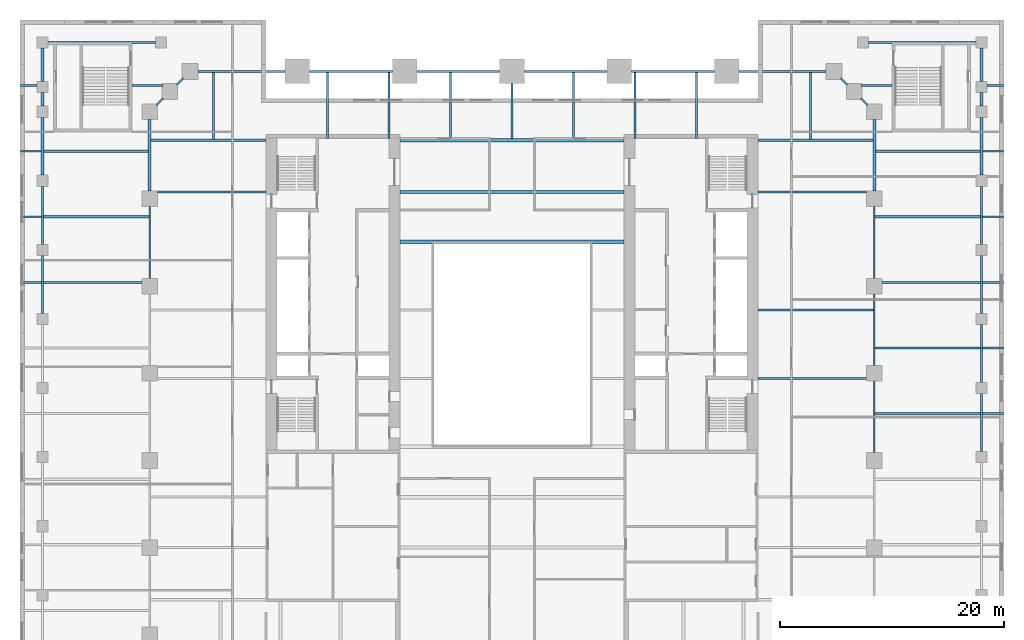
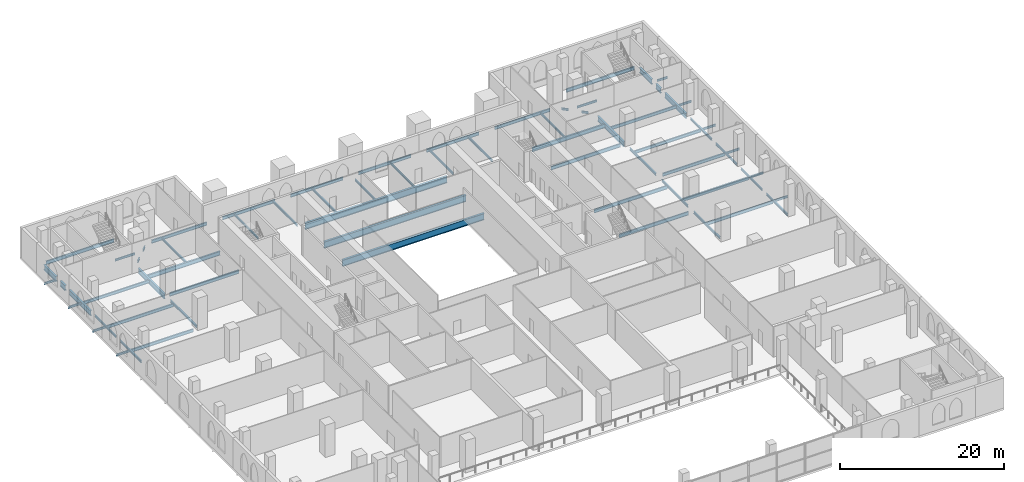
# One storey, part 6 of 19: 68 beams.
"""IFC4 building model written with IfcOpenShell, lengths in metres."""

from ifc_helpers import new_model, si_unit, direction, frame, origin, origin_2d, place, context, subcontext, project, spatial, i_section, extrude, material, material_profile, profile_set, type_object, element, save


model = new_model("IFC4")

# Units and contexts
model_context = context("Model", 3, precision=1e-05, world=origin(), true_north=direction((0.0, 1.0)))
body_context = subcontext(model_context, "Body", "Model", "MODEL_VIEW")
ifc_project = project(units=[si_unit("LENGTHUNIT", "METRE"), si_unit("AREAUNIT", "SQUARE_METRE"), si_unit("VOLUMEUNIT", "CUBIC_METRE"), si_unit("PLANEANGLEUNIT", "RADIAN"), si_unit("MASSUNIT", "GRAM", prefix="KILO")], contexts=[model_context])

# Site, building, storey
site_placement = place(None, origin())
site = spatial("IfcSite", under=ifc_project, at=site_placement, CompositionType="ELEMENT")
building_placement = place(site_placement, origin())
building = spatial("IfcBuilding", under=site, at=building_placement, Name="Ogive Exchange Tower", CompositionType="ELEMENT")
storey_placement = place(building_placement, frame((0.0, 0.0, 24.0)))
storey = spatial("IfcBuildingStorey", under=building, at=storey_placement, Name="L04", CompositionType="ELEMENT", Elevation=24.0)

# Beams
ifc_material = material(Name="Steel ASTM A992 Gr50", Category="steel")
ifc_material_profile_1 = material_profile(ifc_material, i_section(OverallWidth=0.300048828125, OverallDepth=0.969970703125, WebThickness=0.01611328125, FlangeThickness=0.02099609375, at=origin_2d()), Name="W1000x222")
ifc_profile_set_1 = profile_set([ifc_material_profile_1], Name="Steel ASTM A992 Gr50")
beam_type_1 = type_object("IfcBeamType", Name="Floor beam W1000x222", PredefinedType="JOIST", material=ifc_profile_set_1)
beam_1_placement = place(storey_placement, frame((-10.0, 20.62255859375, -0.784912109375), z_axis=(1.0, 0.0, 0.0), x_axis=(0.0, 1.0, 0.0)))
element("IfcBeam", 1, at=beam_1_placement, inside=storey, type_object=beam_type_1, Name="Floor beam", PredefinedType="JOIST", context=body_context, shape_type="SweptSolid", body=[
    extrude(i_section(OverallWidth=0.300048828125, OverallDepth=0.969970703125, WebThickness=0.01611328125, FlangeThickness=0.02099609375, at=origin_2d()), origin(), (0.0, 0.0, 1.0), 20.0),
])
ifc_material_profile_2 = material_profile(ifc_material, i_section(OverallWidth=0.1650390625, OverallDepth=0.31005859375, WebThickness=0.005859375, FlangeThickness=0.009765625, at=origin_2d()), Name="W310x38.7")
ifc_profile_set_2 = profile_set([ifc_material_profile_2], Name="Steel ASTM A992 Gr50")
beam_type_2 = type_object("IfcBeamType", Name="Floor beam W310x38.7", PredefinedType="JOIST", material=ifc_profile_set_2)
for number, where, z_axis, x_axis, name in (
    (2, (-16.5, 25.39990234375, -0.455078125), (0.0, 1.0, 0.0), (-1.0, 0.0, 0.0), "Floor beam"),
    (3, (-11.0, 25.39990234375, -0.455078125), (0.0, 1.0, 0.0), (-1.0, 0.0, 0.0), "Floor beam"),
):
    element("IfcBeam", number, at=place(storey_placement, frame(where, z_axis=z_axis, x_axis=x_axis)), inside=storey, type_object=beam_type_2, Name=name, PredefinedType="JOIST", context=body_context, shape_type="SweptSolid", body=[
        extrude(i_section(OverallWidth=0.1650390625, OverallDepth=0.31005859375, WebThickness=0.005859375, FlangeThickness=0.009765625, at=origin_2d()), origin(), (0.0, 0.0, 1.0), 5.904541015625),
    ])
beam_2_placement = place(storey_placement, frame((-5.5, 25.39501953125, -0.455078125), z_axis=(0.0, 1.0, 0.0), x_axis=(-1.0, 0.0, 0.0)))
element("IfcBeam", 4, at=beam_2_placement, inside=storey, type_object=beam_type_2, Name="Floor beam", PredefinedType="JOIST", context=body_context, shape_type="SweptSolid", body=[
    extrude(i_section(OverallWidth=0.1650390625, OverallDepth=0.31005859375, WebThickness=0.005859375, FlangeThickness=0.009765625, at=origin_2d()), origin(), (0.0, 0.0, 1.0), 5.909423828125),
])
beam_3_placement = place(storey_placement, frame((0.0, 25.39501953125, -0.455078125), z_axis=(0.0, 1.0, 0.0), x_axis=(-1.0, 0.0, 0.0)))
element("IfcBeam", 5, at=beam_3_placement, inside=storey, type_object=beam_type_2, Name="Floor beam", PredefinedType="JOIST", context=body_context, shape_type="SweptSolid", body=[
    extrude(i_section(OverallWidth=0.1650390625, OverallDepth=0.31005859375, WebThickness=0.005859375, FlangeThickness=0.009765625, at=origin_2d()), origin(), (0.0, 0.0, 1.0), 4.905029296875),
])
beam_4_placement = place(storey_placement, frame((5.5, 25.39501953125, -0.455078125), z_axis=(0.0, 1.0, 0.0), x_axis=(-1.0, 0.0, 0.0)))
element("IfcBeam", 6, at=beam_4_placement, inside=storey, type_object=beam_type_2, Name="Floor beam", PredefinedType="JOIST", context=body_context, shape_type="SweptSolid", body=[
    extrude(i_section(OverallWidth=0.1650390625, OverallDepth=0.31005859375, WebThickness=0.005859375, FlangeThickness=0.009765625, at=origin_2d()), origin(), (0.0, 0.0, 1.0), 5.909423828125),
])
for number, where, z_axis, x_axis, name in (
    (7, (11.0, 25.39990234375, -0.455078125), (0.0, 1.0, 0.0), (-1.0, 0.0, 0.0), "Floor beam"),
    (8, (16.5, 25.39990234375, -0.455078125), (0.0, 1.0, 0.0), (-1.0, 0.0, 0.0), "Floor beam"),
):
    element("IfcBeam", number, at=place(storey_placement, frame(where, z_axis=z_axis, x_axis=x_axis)), inside=storey, type_object=beam_type_2, Name=name, PredefinedType="JOIST", context=body_context, shape_type="SweptSolid", body=[
        extrude(i_section(OverallWidth=0.1650390625, OverallDepth=0.31005859375, WebThickness=0.005859375, FlangeThickness=0.009765625, at=origin_2d()), origin(), (0.0, 0.0, 1.0), 5.904541015625),
    ])
for number, where, z_axis, x_axis, name in (
    (9, (26.699951171875, 25.35888671875, -0.455078125), (0.0, 1.0, 0.0), (-1.0, 0.0, 0.0), "Floor beam"),
    (10, (-26.699951171875, 25.35888671875, -0.455078125), (0.0, 1.0, 0.0), (-1.0, 0.0, 0.0), "Floor beam"),
):
    element("IfcBeam", number, at=place(storey_placement, frame(where, z_axis=z_axis, x_axis=x_axis)), inside=storey, type_object=beam_type_2, Name=name, PredefinedType="JOIST", context=body_context, shape_type="SweptSolid", body=[
        extrude(i_section(OverallWidth=0.1650390625, OverallDepth=0.31005859375, WebThickness=0.005859375, FlangeThickness=0.009765625, at=origin_2d()), origin(), (0.0, 0.0, 1.0), 5.945556640625),
    ])
for number, where, z_axis, x_axis, name in (
    (11, (42.08251953125, 0.800048828125, -0.455078125), (1.0, 0.0, 0.0), (0.0, 1.0, 0.0), "Floor beam"),
    (12, (42.08251953125, 6.666748046875, -0.455078125), (1.0, 0.0, 0.0), (0.0, 1.0, 0.0), "Floor beam"),
    (13, (42.08251953125, 12.533203125, -0.455078125), (1.0, 0.0, 0.0), (0.0, 1.0, 0.0), "Floor beam"),
    (14, (42.08251953125, 18.39990234375, -0.455078125), (1.0, 0.0, 0.0), (0.0, 1.0, 0.0), "Floor beam"),
):
    element("IfcBeam", number, at=place(storey_placement, frame(where, z_axis=z_axis, x_axis=x_axis)), inside=storey, type_object=beam_type_2, Name=name, PredefinedType="JOIST", context=body_context, shape_type="SweptSolid", body=[
        extrude(i_section(OverallWidth=0.1650390625, OverallDepth=0.31005859375, WebThickness=0.005859375, FlangeThickness=0.009765625, at=origin_2d()), origin(), (0.0, 0.0, 1.0), 1.867431640625),
    ])
beam_5_placement = place(storey_placement, frame((42.133544921875, 24.2666015625, -0.455078125), z_axis=(1.0, 0.0, 0.0), x_axis=(0.0, 1.0, 0.0)))
element("IfcBeam", 15, at=beam_5_placement, inside=storey, type_object=beam_type_2, Name="Floor beam", PredefinedType="JOIST", context=body_context, shape_type="SweptSolid", body=[
    extrude(i_section(OverallWidth=0.1650390625, OverallDepth=0.31005859375, WebThickness=0.005859375, FlangeThickness=0.009765625, at=origin_2d()), origin(), (0.0, 0.0, 1.0), 1.81640625),
])
beam_6_placement = place(storey_placement, frame((31.199951171875, 30.13330078125, -0.455078125), z_axis=(1.0, 0.0, 0.0), x_axis=(0.0, 1.0, 0.0)))
element("IfcBeam", 16, at=beam_6_placement, inside=storey, type_object=beam_type_2, Name="Floor beam", PredefinedType="JOIST", context=body_context, shape_type="SweptSolid", body=[
    extrude(i_section(OverallWidth=0.1650390625, OverallDepth=0.31005859375, WebThickness=0.005859375, FlangeThickness=0.009765625, at=origin_2d()), origin(), (0.0, 0.0, 1.0), 2.800048828125),
])
beam_7_placement = place(storey_placement, frame((42.5, 30.13330078125, -0.455078125), z_axis=(1.0, 0.0, 0.0), x_axis=(0.0, 1.0, 0.0)))
element("IfcBeam", 17, at=beam_7_placement, inside=storey, type_object=beam_type_2, Name="Floor beam", PredefinedType="JOIST", context=body_context, shape_type="SweptSolid", body=[
    extrude(i_section(OverallWidth=0.1650390625, OverallDepth=0.31005859375, WebThickness=0.005859375, FlangeThickness=0.009765625, at=origin_2d()), origin(), (0.0, 0.0, 1.0), 1.449951171875),
])
for number, where, z_axis, x_axis, name in (
    (18, (-43.949951171875, 12.533203125, -0.455078125), (1.0, 0.0, 0.0), (0.0, 1.0, 0.0), "Floor beam"),
    (19, (-43.949951171875, 18.39990234375, -0.455078125), (1.0, 0.0, 0.0), (0.0, 1.0, 0.0), "Floor beam"),
):
    element("IfcBeam", number, at=place(storey_placement, frame(where, z_axis=z_axis, x_axis=x_axis)), inside=storey, type_object=beam_type_2, Name=name, PredefinedType="JOIST", context=body_context, shape_type="SweptSolid", body=[
        extrude(i_section(OverallWidth=0.1650390625, OverallDepth=0.31005859375, WebThickness=0.005859375, FlangeThickness=0.009765625, at=origin_2d()), origin(), (0.0, 0.0, 1.0), 1.867431640625),
    ])
beam_8_placement = place(storey_placement, frame((-43.949951171875, 24.2666015625, -0.455078125), z_axis=(1.0, 0.0, 0.0), x_axis=(0.0, 1.0, 0.0)))
element("IfcBeam", 20, at=beam_8_placement, inside=storey, type_object=beam_type_2, Name="Floor beam", PredefinedType="JOIST", context=body_context, shape_type="SweptSolid", body=[
    extrude(i_section(OverallWidth=0.1650390625, OverallDepth=0.31005859375, WebThickness=0.005859375, FlangeThickness=0.009765625, at=origin_2d()), origin(), (0.0, 0.0, 1.0), 1.81640625),
])
beam_9_placement = place(storey_placement, frame((-43.949951171875, 30.13330078125, -0.455078125), z_axis=(1.0, 0.0, 0.0), x_axis=(0.0, 1.0, 0.0)))
element("IfcBeam", 21, at=beam_9_placement, inside=storey, type_object=beam_type_2, Name="Floor beam", PredefinedType="JOIST", context=body_context, shape_type="SweptSolid", body=[
    extrude(i_section(OverallWidth=0.1650390625, OverallDepth=0.31005859375, WebThickness=0.005859375, FlangeThickness=0.009765625, at=origin_2d()), origin(), (0.0, 0.0, 1.0), 1.449951171875),
])
beam_10_placement = place(storey_placement, frame((-34.0, 30.13330078125, -0.455078125), z_axis=(1.0, 0.0, 0.0), x_axis=(0.0, 1.0, 0.0)))
element("IfcBeam", 22, at=beam_10_placement, inside=storey, type_object=beam_type_2, Name="Floor beam", PredefinedType="JOIST", context=body_context, shape_type="SweptSolid", body=[
    extrude(i_section(OverallWidth=0.1650390625, OverallDepth=0.31005859375, WebThickness=0.005859375, FlangeThickness=0.009765625, at=origin_2d()), origin(), (0.0, 0.0, 1.0), 2.800048828125),
])
ifc_material_profile_3 = material_profile(ifc_material, i_section(OverallWidth=0.19091796875, OverallDepth=0.45703125, WebThickness=0.009033203125, FlangeThickness=0.014404296875, at=origin_2d()), Name="W460x74")
ifc_profile_set_3 = profile_set([ifc_material_profile_3], Name="Steel ASTM A992 Gr50")
beam_type_3 = type_object("IfcBeamType", Name="Floor beam W460x74", PredefinedType="JOIST", material=ifc_profile_set_3)
for number, where, z_axis, x_axis, name in (
    (23, (32.485595703125, 0.800048828125, -0.528564453125), (1.0, 0.0, 0.0), (0.0, 1.0, 0.0), "Floor beam"),
    (24, (32.485595703125, 6.666748046875, -0.528564453125), (1.0, 0.0, 0.0), (0.0, 1.0, 0.0), "Floor beam"),
):
    element("IfcBeam", number, at=place(storey_placement, frame(where, z_axis=z_axis, x_axis=x_axis)), inside=storey, type_object=beam_type_3, Name=name, PredefinedType="JOIST", context=body_context, shape_type="SweptSolid", body=[
        extrude(i_section(OverallWidth=0.19091796875, OverallDepth=0.45703125, WebThickness=0.009033203125, FlangeThickness=0.014404296875, at=origin_2d()), origin(), (0.0, 0.0, 1.0), 9.431884765625),
    ])
beam_11_placement = place(storey_placement, frame((33.10009765625, 12.533203125, -0.528564453125), z_axis=(1.0, 0.0, 0.0), x_axis=(0.0, 1.0, 0.0)))
element("IfcBeam", 25, at=beam_11_placement, inside=storey, type_object=beam_type_3, Name="Floor beam", PredefinedType="JOIST", context=body_context, shape_type="SweptSolid", body=[
    extrude(i_section(OverallWidth=0.19091796875, OverallDepth=0.45703125, WebThickness=0.009033203125, FlangeThickness=0.014404296875, at=origin_2d()), origin(), (0.0, 0.0, 1.0), 8.8173828125),
])
beam_12_placement = place(storey_placement, frame((32.485595703125, 18.39990234375, -0.528564453125), z_axis=(1.0, 0.0, 0.0), x_axis=(0.0, 1.0, 0.0)))
element("IfcBeam", 26, at=beam_12_placement, inside=storey, type_object=beam_type_3, Name="Floor beam", PredefinedType="JOIST", context=body_context, shape_type="SweptSolid", body=[
    extrude(i_section(OverallWidth=0.19091796875, OverallDepth=0.45703125, WebThickness=0.009033203125, FlangeThickness=0.014404296875, at=origin_2d()), origin(), (0.0, 0.0, 1.0), 9.431884765625),
])
beam_13_placement = place(storey_placement, frame((32.533447265625, 24.2666015625, -0.528564453125), z_axis=(1.0, 0.0, 0.0), x_axis=(0.0, 1.0, 0.0)))
element("IfcBeam", 27, at=beam_13_placement, inside=storey, type_object=beam_type_3, Name="Floor beam", PredefinedType="JOIST", context=body_context, shape_type="SweptSolid", body=[
    extrude(i_section(OverallWidth=0.19091796875, OverallDepth=0.45703125, WebThickness=0.009033203125, FlangeThickness=0.014404296875, at=origin_2d()), origin(), (0.0, 0.0, 1.0), 9.3330078125),
])
beam_14_placement = place(storey_placement, frame((-41.91748046875, 12.533203125, -0.528564453125), z_axis=(1.0, 0.0, 0.0), x_axis=(0.0, 1.0, 0.0)))
element("IfcBeam", 28, at=beam_14_placement, inside=storey, type_object=beam_type_3, Name="Floor beam", PredefinedType="JOIST", context=body_context, shape_type="SweptSolid", body=[
    extrude(i_section(OverallWidth=0.19091796875, OverallDepth=0.45703125, WebThickness=0.009033203125, FlangeThickness=0.014404296875, at=origin_2d()), origin(), (0.0, 0.0, 1.0), 8.8173828125),
])
beam_15_placement = place(storey_placement, frame((-41.91748046875, 18.39990234375, -0.528564453125), z_axis=(1.0, 0.0, 0.0), x_axis=(0.0, 1.0, 0.0)))
element("IfcBeam", 29, at=beam_15_placement, inside=storey, type_object=beam_type_3, Name="Floor beam", PredefinedType="JOIST", context=body_context, shape_type="SweptSolid", body=[
    extrude(i_section(OverallWidth=0.19091796875, OverallDepth=0.45703125, WebThickness=0.009033203125, FlangeThickness=0.014404296875, at=origin_2d()), origin(), (0.0, 0.0, 1.0), 9.431884765625),
])
beam_16_placement = place(storey_placement, frame((-41.866455078125, 24.2666015625, -0.528564453125), z_axis=(1.0, 0.0, 0.0), x_axis=(0.0, 1.0, 0.0)))
element("IfcBeam", 30, at=beam_16_placement, inside=storey, type_object=beam_type_3, Name="Floor beam", PredefinedType="JOIST", context=body_context, shape_type="SweptSolid", body=[
    extrude(i_section(OverallWidth=0.19091796875, OverallDepth=0.45703125, WebThickness=0.009033203125, FlangeThickness=0.014404296875, at=origin_2d()), origin(), (0.0, 0.0, 1.0), 9.3330078125),
])
ifc_material_profile_4 = material_profile(ifc_material, i_section(OverallWidth=0.1669921875, OverallDepth=0.535888671875, WebThickness=0.01025390625, FlangeThickness=0.0166015625, at=origin_2d()), Name="W530x85")
ifc_profile_set_4 = profile_set([ifc_material_profile_4], Name="Steel ASTM A992 Gr50")
beam_type_4 = type_object("IfcBeamType", Name="Floor beam W530x85", PredefinedType="JOIST", material=ifc_profile_set_4)
beam_17_placement = place(storey_placement, frame((22.0, 3.9482421875, -0.568115234375), z_axis=(1.0, 0.0, 0.0), x_axis=(0.0, 1.0, 0.0)))
element("IfcBeam", 31, at=beam_17_placement, inside=storey, type_object=beam_type_4, Name="Floor beam", PredefinedType="JOIST", context=body_context, shape_type="SweptSolid", body=[
    extrude(i_section(OverallWidth=0.1669921875, OverallDepth=0.535888671875, WebThickness=0.01025390625, FlangeThickness=0.0166015625, at=origin_2d()), origin(), (0.0, 0.0, 1.0), 9.800048828125),
])
beam_18_placement = place(storey_placement, frame((22.0, 10.0517578125, -0.568115234375), z_axis=(1.0, 0.0, 0.0), x_axis=(0.0, 1.0, 0.0)))
element("IfcBeam", 32, at=beam_18_placement, inside=storey, type_object=beam_type_4, Name="Floor beam", PredefinedType="JOIST", context=body_context, shape_type="SweptSolid", body=[
    extrude(i_section(OverallWidth=0.1669921875, OverallDepth=0.535888671875, WebThickness=0.01025390625, FlangeThickness=0.0166015625, at=origin_2d()), origin(), (0.0, 0.0, 1.0), 10.344970703125),
])
for number, where, z_axis, x_axis, name in (
    (33, (-31.800048828125, 20.62255859375, -0.568115234375), (1.0, 0.0, 0.0), (0.0, 1.0, 0.0), "Floor beam"),
    (34, (22.0, 20.62255859375, -0.568115234375), (1.0, 0.0, 0.0), (0.0, 1.0, 0.0), "Floor beam"),
):
    element("IfcBeam", number, at=place(storey_placement, frame(where, z_axis=z_axis, x_axis=x_axis)), inside=storey, type_object=beam_type_4, Name=name, PredefinedType="JOIST", context=body_context, shape_type="SweptSolid", body=[
        extrude(i_section(OverallWidth=0.1669921875, OverallDepth=0.535888671875, WebThickness=0.01025390625, FlangeThickness=0.0166015625, at=origin_2d()), origin(), (0.0, 0.0, 1.0), 9.800048828125),
    ])
ifc_material_profile_5 = material_profile(ifc_material, i_section(OverallWidth=0.300048828125, OverallDepth=0.97998046875, WebThickness=0.0166015625, FlangeThickness=0.026123046875, at=origin_2d()), Name="W1000x249")
ifc_profile_set_5 = profile_set([ifc_material_profile_5], Name="Steel ASTM A992 Gr50")
beam_type_5 = type_object("IfcBeamType", Name="Girder W1000x249", PredefinedType="BEAM", material=ifc_profile_set_5)
for number, where, z_axis, x_axis, name in (
    (35, (-10.0, 25.2451171875, -0.7900390625), (1.0, 0.0, 0.0), (0.0, 1.0, 0.0), "Header girder"),
    (36, (-10.0, 16.155029296875, -0.7900390625), (1.0, 0.0, 0.0), (0.0, 1.0, 0.0), "Trimmer girder"),
):
    element("IfcBeam", number, at=place(storey_placement, frame(where, z_axis=z_axis, x_axis=x_axis)), inside=storey, type_object=beam_type_5, Name=name, PredefinedType="BEAM", context=body_context, shape_type="SweptSolid", body=[
        extrude(i_section(OverallWidth=0.300048828125, OverallDepth=0.97998046875, WebThickness=0.0166015625, FlangeThickness=0.026123046875, at=origin_2d()), origin(), (0.0, 0.0, 1.0), 20.0),
    ])
ifc_material_profile_6 = material_profile(ifc_material, i_section(OverallWidth=0.1650390625, OverallDepth=0.31005859375, WebThickness=0.005859375, FlangeThickness=0.009765625, at=origin_2d()), Name="W310x38.7")
ifc_profile_set_6 = profile_set([ifc_material_profile_6], Name="Steel ASTM A992 Gr50")
beam_type_6 = type_object("IfcBeamType", Name="Girder W310x38.7", PredefinedType="BEAM", material=ifc_profile_set_6)
for number, where, z_axis, x_axis, name in (
    (37, (31.805908203125, 28.39404296875, -0.455078125), (-0.706965712506, 0.707247821729, 0.0), (-0.707247821729, -0.706965712506, 0.0), "Girder"),
    (38, (30.006103515625, 30.194091796875, -0.455078125), (-0.707247821729, 0.706965712506, 0.0), (-0.706965712506, -0.707247821729, 0.0), "Girder"),
    (39, (-29.39404296875, 30.805908203125, -0.455078125), (-0.707247821729, -0.706965712506, 0.0), (0.706965712506, -0.707247821729, 0.0), "Girder"),
    (40, (-31.194091796875, 29.006103515625, -0.455078125), (-0.706965712506, -0.707247821729, 0.0), (0.707247821729, -0.706965712506, 0.0), "Girder"),
):
    element("IfcBeam", number, at=place(storey_placement, frame(where, z_axis=z_axis, x_axis=x_axis)), inside=storey, type_object=beam_type_6, Name=name, PredefinedType="BEAM", context=body_context, shape_type="SweptSolid", body=[
        extrude(i_section(OverallWidth=0.1650390625, OverallDepth=0.31005859375, WebThickness=0.005859375, FlangeThickness=0.009765625, at=origin_2d()), origin(), (0.0, 0.0, 1.0), 0.865478515625),
    ])
beam_19_placement = place(storey_placement, frame((42.0, -2.590087890625, -0.455078125), z_axis=(0.0, 1.0, 0.0), x_axis=(-1.0, 0.0, 0.0)))
element("IfcBeam", 41, at=beam_19_placement, inside=storey, type_object=beam_type_6, Name="Girder", PredefinedType="BEAM", context=body_context, shape_type="SweptSolid", body=[
    extrude(i_section(OverallWidth=0.1650390625, OverallDepth=0.31005859375, WebThickness=0.005859375, FlangeThickness=0.009765625, at=origin_2d()), origin(), (0.0, 0.0, 1.0), 5.18017578125),
])
beam_20_placement = place(storey_placement, frame((42.0, 3.590087890625, -0.455078125), z_axis=(0.0, 1.0, 0.0), x_axis=(-1.0, 0.0, 0.0)))
element("IfcBeam", 42, at=beam_20_placement, inside=storey, type_object=beam_type_6, Name="Girder", PredefinedType="BEAM", context=body_context, shape_type="SweptSolid", body=[
    extrude(i_section(OverallWidth=0.1650390625, OverallDepth=0.31005859375, WebThickness=0.005859375, FlangeThickness=0.009765625, at=origin_2d()), origin(), (0.0, 0.0, 1.0), 5.179931640625),
])
beam_21_placement = place(storey_placement, frame((42.0, 9.77001953125, -0.455078125), z_axis=(0.0, 1.0, 0.0), x_axis=(-1.0, 0.0, 0.0)))
element("IfcBeam", 43, at=beam_21_placement, inside=storey, type_object=beam_type_6, Name="Girder", PredefinedType="BEAM", context=body_context, shape_type="SweptSolid", body=[
    extrude(i_section(OverallWidth=0.1650390625, OverallDepth=0.31005859375, WebThickness=0.005859375, FlangeThickness=0.009765625, at=origin_2d()), origin(), (0.0, 0.0, 1.0), 5.169921875),
])
beam_22_placement = place(storey_placement, frame((42.0, 15.93994140625, -0.455078125), z_axis=(0.0, 1.0, 0.0), x_axis=(-1.0, 0.0, 0.0)))
element("IfcBeam", 44, at=beam_22_placement, inside=storey, type_object=beam_type_6, Name="Girder", PredefinedType="BEAM", context=body_context, shape_type="SweptSolid", body=[
    extrude(i_section(OverallWidth=0.1650390625, OverallDepth=0.31005859375, WebThickness=0.005859375, FlangeThickness=0.009765625, at=origin_2d()), origin(), (0.0, 0.0, 1.0), 5.18017578125),
])
beam_23_placement = place(storey_placement, frame((-42.0, 9.77001953125, -0.455078125), z_axis=(0.0, 1.0, 0.0), x_axis=(-1.0, 0.0, 0.0)))
element("IfcBeam", 45, at=beam_23_placement, inside=storey, type_object=beam_type_6, Name="Girder", PredefinedType="BEAM", context=body_context, shape_type="SweptSolid", body=[
    extrude(i_section(OverallWidth=0.1650390625, OverallDepth=0.31005859375, WebThickness=0.005859375, FlangeThickness=0.009765625, at=origin_2d()), origin(), (0.0, 0.0, 1.0), 5.169921875),
])
beam_24_placement = place(storey_placement, frame((-42.0, 15.93994140625, -0.455078125), z_axis=(0.0, 1.0, 0.0), x_axis=(-1.0, 0.0, 0.0)))
element("IfcBeam", 46, at=beam_24_placement, inside=storey, type_object=beam_type_6, Name="Girder", PredefinedType="BEAM", context=body_context, shape_type="SweptSolid", body=[
    extrude(i_section(OverallWidth=0.1650390625, OverallDepth=0.31005859375, WebThickness=0.005859375, FlangeThickness=0.009765625, at=origin_2d()), origin(), (0.0, 0.0, 1.0), 5.18017578125),
])
ifc_material_profile_7 = material_profile(ifc_material, i_section(OverallWidth=0.1708984375, OverallDepth=0.35595703125, WebThickness=0.00732421875, FlangeThickness=0.01171875, at=origin_2d()), Name="W360x51")
ifc_profile_set_7 = profile_set([ifc_material_profile_7], Name="Steel ASTM A992 Gr50")
beam_type_7 = type_object("IfcBeamType", Name="Girder W360x51", PredefinedType="BEAM", material=ifc_profile_set_7)
beam_25_placement = place(storey_placement, frame((32.39990234375, 5.10009765625, -0.47802734375), z_axis=(0.0, 1.0, 0.0), x_axis=(-1.0, 0.0, 0.0)))
element("IfcBeam", 47, at=beam_25_placement, inside=storey, type_object=beam_type_7, Name="Girder", PredefinedType="BEAM", context=body_context, shape_type="SweptSolid", body=[
    extrude(i_section(OverallWidth=0.1708984375, OverallDepth=0.35595703125, WebThickness=0.00732421875, FlangeThickness=0.01171875, at=origin_2d()), origin(), (0.0, 0.0, 1.0), 6.39990234375),
])
for number, where, z_axis, x_axis, name in (
    (48, (32.39990234375, 12.89990234375, -0.47802734375), (0.0, 1.0, 0.0), (-1.0, 0.0, 0.0), "Girder"),
    (49, (-32.39990234375, 19.300048828125, -0.47802734375), (0.0, -1.0, 0.0), (1.0, 0.0, 0.0), "Girder"),
):
    element("IfcBeam", number, at=place(storey_placement, frame(where, z_axis=z_axis, x_axis=x_axis)), inside=storey, type_object=beam_type_7, Name=name, PredefinedType="BEAM", context=body_context, shape_type="SweptSolid", body=[
        extrude(i_section(OverallWidth=0.1708984375, OverallDepth=0.35595703125, WebThickness=0.00732421875, FlangeThickness=0.01171875, at=origin_2d()), origin(), (0.0, 0.0, 1.0), 6.400146484375),
    ])
beam_26_placement = place(storey_placement, frame((32.39990234375, -2.699951171875, -0.47802734375), z_axis=(0.0, 1.0, 0.0), x_axis=(-1.0, 0.0, 0.0)))
element("IfcBeam", 50, at=beam_26_placement, inside=storey, type_object=beam_type_7, Name="Girder", PredefinedType="BEAM", context=body_context, shape_type="SweptSolid", body=[
    extrude(i_section(OverallWidth=0.1708984375, OverallDepth=0.35595703125, WebThickness=0.00732421875, FlangeThickness=0.01171875, at=origin_2d()), origin(), (0.0, 0.0, 1.0), 6.39990234375),
])
ifc_material_profile_8 = material_profile(ifc_material, i_section(OverallWidth=0.19091796875, OverallDepth=0.45703125, WebThickness=0.009033203125, FlangeThickness=0.014404296875, at=origin_2d()), Name="W460x74")
ifc_profile_set_8 = profile_set([ifc_material_profile_8], Name="Steel ASTM A992 Gr50")
beam_type_8 = type_object("IfcBeamType", Name="Girder W460x74", PredefinedType="BEAM", material=ifc_profile_set_8)
beam_27_placement = place(storey_placement, frame((28.10009765625, 31.39990234375, -0.528564453125), z_axis=(-1.0, 0.0, 0.0), x_axis=(0.0, -1.0, 0.0)))
element("IfcBeam", 51, at=beam_27_placement, inside=storey, type_object=beam_type_8, Name="Girder", PredefinedType="BEAM", context=body_context, shape_type="SweptSolid", body=[
    extrude(i_section(OverallWidth=0.19091796875, OverallDepth=0.45703125, WebThickness=0.009033203125, FlangeThickness=0.014404296875, at=origin_2d()), origin(), (0.0, 0.0, 1.0), 7.800048828125),
])
beam_28_placement = place(storey_placement, frame((18.10009765625, 31.39990234375, -0.528564453125), z_axis=(-1.0, 0.0, 0.0), x_axis=(0.0, -1.0, 0.0)))
element("IfcBeam", 52, at=beam_28_placement, inside=storey, type_object=beam_type_8, Name="Girder", PredefinedType="BEAM", context=body_context, shape_type="SweptSolid", body=[
    extrude(i_section(OverallWidth=0.19091796875, OverallDepth=0.45703125, WebThickness=0.009033203125, FlangeThickness=0.014404296875, at=origin_2d()), origin(), (0.0, 0.0, 1.0), 7.400146484375),
])
for number, where, z_axis, x_axis, name in (
    (53, (8.5, 31.39990234375, -0.528564453125), (-1.0, 0.0, 0.0), (0.0, -1.0, 0.0), "Girder"),
    (54, (-1.10009765625, 31.39990234375, -0.528564453125), (-1.0, 0.0, 0.0), (0.0, -1.0, 0.0), "Girder"),
):
    element("IfcBeam", number, at=place(storey_placement, frame(where, z_axis=z_axis, x_axis=x_axis)), inside=storey, type_object=beam_type_8, Name=name, PredefinedType="BEAM", context=body_context, shape_type="SweptSolid", body=[
        extrude(i_section(OverallWidth=0.19091796875, OverallDepth=0.45703125, WebThickness=0.009033203125, FlangeThickness=0.014404296875, at=origin_2d()), origin(), (0.0, 0.0, 1.0), 7.39990234375),
    ])
beam_29_placement = place(storey_placement, frame((-10.699951171875, 31.39990234375, -0.528564453125), z_axis=(-1.0, 0.0, 0.0), x_axis=(0.0, -1.0, 0.0)))
element("IfcBeam", 55, at=beam_29_placement, inside=storey, type_object=beam_type_8, Name="Girder", PredefinedType="BEAM", context=body_context, shape_type="SweptSolid", body=[
    extrude(i_section(OverallWidth=0.19091796875, OverallDepth=0.45703125, WebThickness=0.009033203125, FlangeThickness=0.014404296875, at=origin_2d()), origin(), (0.0, 0.0, 1.0), 7.400146484375),
])
beam_30_placement = place(storey_placement, frame((-20.300048828125, 31.39990234375, -0.528564453125), z_axis=(-1.0, 0.0, 0.0), x_axis=(0.0, -1.0, 0.0)))
element("IfcBeam", 56, at=beam_30_placement, inside=storey, type_object=beam_type_8, Name="Girder", PredefinedType="BEAM", context=body_context, shape_type="SweptSolid", body=[
    extrude(i_section(OverallWidth=0.19091796875, OverallDepth=0.45703125, WebThickness=0.009033203125, FlangeThickness=0.014404296875, at=origin_2d()), origin(), (0.0, 0.0, 1.0), 7.800048828125),
])
ifc_material_profile_9 = material_profile(ifc_material, i_section(OverallWidth=0.1669921875, OverallDepth=0.535888671875, WebThickness=0.01025390625, FlangeThickness=0.0166015625, at=origin_2d()), Name="W530x85")
ifc_profile_set_9 = profile_set([ifc_material_profile_9], Name="Steel ASTM A992 Gr50")
beam_type_9 = type_object("IfcBeamType", Name="Girder W530x85", PredefinedType="BEAM", material=ifc_profile_set_9)
for number, where, z_axis, x_axis, name in (
    (57, (31.89990234375, 34.0, -0.568115234375), (1.0, 0.0, 0.0), (0.0, 1.0, 0.0), "Girder"),
    (58, (-41.5, 34.0, -0.568115234375), (1.0, 0.0, 0.0), (0.0, 1.0, 0.0), "Girder"),
):
    element("IfcBeam", number, at=place(storey_placement, frame(where, z_axis=z_axis, x_axis=x_axis)), inside=storey, type_object=beam_type_9, Name=name, PredefinedType="BEAM", context=body_context, shape_type="SweptSolid", body=[
        extrude(i_section(OverallWidth=0.1669921875, OverallDepth=0.535888671875, WebThickness=0.01025390625, FlangeThickness=0.0166015625, at=origin_2d()), origin(), (0.0, 0.0, 1.0), 9.60009765625),
    ])
ifc_material_profile_10 = material_profile(ifc_material, i_section(OverallWidth=0.22802734375, OverallDepth=0.60205078125, WebThickness=0.010498046875, FlangeThickness=0.014892578125, at=origin_2d()), Name="W610x101")
ifc_profile_set_10 = profile_set([ifc_material_profile_10], Name="Steel ASTM A992 Gr50")
beam_type_10 = type_object("IfcBeamType", Name="Girder W610x101", PredefinedType="BEAM", material=ifc_profile_set_10)
for number, where, z_axis, x_axis, name in (
    (59, (22.0, 25.2451171875, -0.60107421875), (1.0, 0.0, 0.0), (0.0, 1.0, 0.0), "Header girder"),
    (60, (-22.0, 25.2451171875, -0.60107421875), (-1.0, 0.0, 0.0), (0.0, -1.0, 0.0), "Header girder"),
):
    element("IfcBeam", number, at=place(storey_placement, frame(where, z_axis=z_axis, x_axis=x_axis)), inside=storey, type_object=beam_type_10, Name=name, PredefinedType="BEAM", context=body_context, shape_type="SweptSolid", body=[
        extrude(i_section(OverallWidth=0.22802734375, OverallDepth=0.60205078125, WebThickness=0.010498046875, FlangeThickness=0.014892578125, at=origin_2d()), origin(), (0.0, 0.0, 1.0), 10.344970703125),
    ])
ifc_material_profile_11 = material_profile(ifc_material, i_section(OverallWidth=0.26708984375, OverallDepth=0.75390625, WebThickness=0.01318359375, FlangeThickness=0.01708984375, at=origin_2d()), Name="W760x147")
ifc_profile_set_11 = profile_set([ifc_material_profile_11], Name="Steel ASTM A992 Gr50")
beam_type_11 = type_object("IfcBeamType", Name="Girder W760x147", PredefinedType="BEAM", material=ifc_profile_set_11)
for number, where, z_axis, x_axis, name in (
    (61, (32.39990234375, 20.699951171875, -0.677001953125), (0.0, 1.0, 0.0), (-1.0, 0.0, 0.0), "Girder"),
    (62, (-32.39990234375, 27.10009765625, -0.677001953125), (0.0, -1.0, 0.0), (1.0, 0.0, 0.0), "Girder"),
):
    element("IfcBeam", number, at=place(storey_placement, frame(where, z_axis=z_axis, x_axis=x_axis)), inside=storey, type_object=beam_type_11, Name=name, PredefinedType="BEAM", context=body_context, shape_type="SweptSolid", body=[
        extrude(i_section(OverallWidth=0.26708984375, OverallDepth=0.75390625, WebThickness=0.01318359375, FlangeThickness=0.01708984375, at=origin_2d()), origin(), (0.0, 0.0, 1.0), 6.400146484375),
    ])
beam_31_placement = place(storey_placement, frame((42.0, 22.1201171875, -0.677001953125), z_axis=(0.0, 1.0, 0.0), x_axis=(-1.0, 0.0, 0.0)))
element("IfcBeam", 63, at=beam_31_placement, inside=storey, type_object=beam_type_11, Name="Girder", PredefinedType="BEAM", context=body_context, shape_type="SweptSolid", body=[
    extrude(i_section(OverallWidth=0.26708984375, OverallDepth=0.75390625, WebThickness=0.01318359375, FlangeThickness=0.01708984375, at=origin_2d()), origin(), (0.0, 0.0, 1.0), 5.179931640625),
])
beam_32_placement = place(storey_placement, frame((42.0, 28.300048828125, -0.677001953125), z_axis=(0.0, 1.0, 0.0), x_axis=(-1.0, 0.0, 0.0)))
element("IfcBeam", 64, at=beam_32_placement, inside=storey, type_object=beam_type_11, Name="Girder", PredefinedType="BEAM", context=body_context, shape_type="SweptSolid", body=[
    extrude(i_section(OverallWidth=0.26708984375, OverallDepth=0.75390625, WebThickness=0.01318359375, FlangeThickness=0.01708984375, at=origin_2d()), origin(), (0.0, 0.0, 1.0), 1.199951171875),
])
beam_33_placement = place(storey_placement, frame((42.0, 30.5, -0.677001953125), z_axis=(0.0, 1.0, 0.0), x_axis=(-1.0, 0.0, 0.0)))
element("IfcBeam", 65, at=beam_33_placement, inside=storey, type_object=beam_type_11, Name="Girder", PredefinedType="BEAM", context=body_context, shape_type="SweptSolid", body=[
    extrude(i_section(OverallWidth=0.26708984375, OverallDepth=0.75390625, WebThickness=0.01318359375, FlangeThickness=0.01708984375, at=origin_2d()), origin(), (0.0, 0.0, 1.0), 3.0),
])
beam_34_placement = place(storey_placement, frame((-42.0, 22.1201171875, -0.677001953125), z_axis=(0.0, 1.0, 0.0), x_axis=(-1.0, 0.0, 0.0)))
element("IfcBeam", 66, at=beam_34_placement, inside=storey, type_object=beam_type_11, Name="Girder", PredefinedType="BEAM", context=body_context, shape_type="SweptSolid", body=[
    extrude(i_section(OverallWidth=0.26708984375, OverallDepth=0.75390625, WebThickness=0.01318359375, FlangeThickness=0.01708984375, at=origin_2d()), origin(), (0.0, 0.0, 1.0), 5.179931640625),
])
beam_35_placement = place(storey_placement, frame((-42.0, 28.300048828125, -0.677001953125), z_axis=(0.0, 1.0, 0.0), x_axis=(-1.0, 0.0, 0.0)))
element("IfcBeam", 67, at=beam_35_placement, inside=storey, type_object=beam_type_11, Name="Girder", PredefinedType="BEAM", context=body_context, shape_type="SweptSolid", body=[
    extrude(i_section(OverallWidth=0.26708984375, OverallDepth=0.75390625, WebThickness=0.01318359375, FlangeThickness=0.01708984375, at=origin_2d()), origin(), (0.0, 0.0, 1.0), 1.199951171875),
])
beam_36_placement = place(storey_placement, frame((-42.0, 30.5, -0.677001953125), z_axis=(0.0, 1.0, 0.0), x_axis=(-1.0, 0.0, 0.0)))
element("IfcBeam", 68, at=beam_36_placement, inside=storey, type_object=beam_type_11, Name="Girder", PredefinedType="BEAM", context=body_context, shape_type="SweptSolid", body=[
    extrude(i_section(OverallWidth=0.26708984375, OverallDepth=0.75390625, WebThickness=0.01318359375, FlangeThickness=0.01708984375, at=origin_2d()), origin(), (0.0, 0.0, 1.0), 3.0),
])

save(model, "model.ifc")
